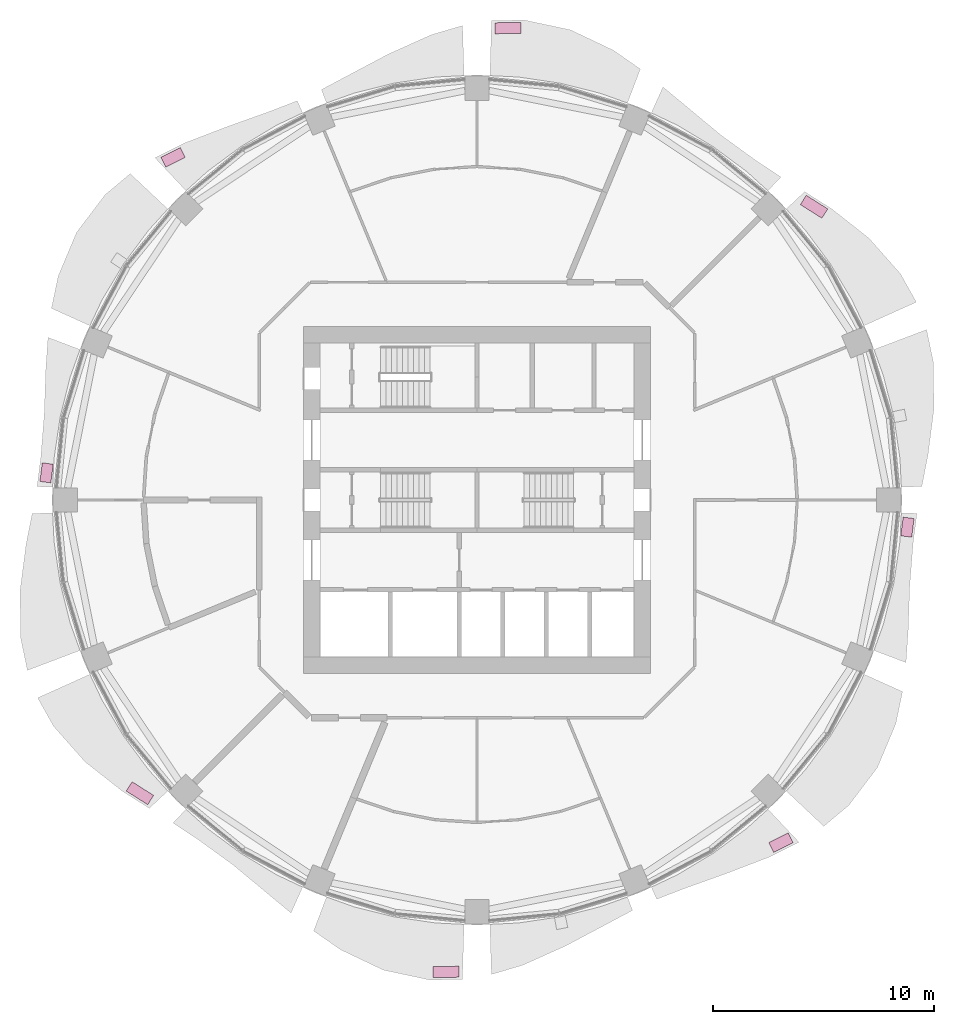
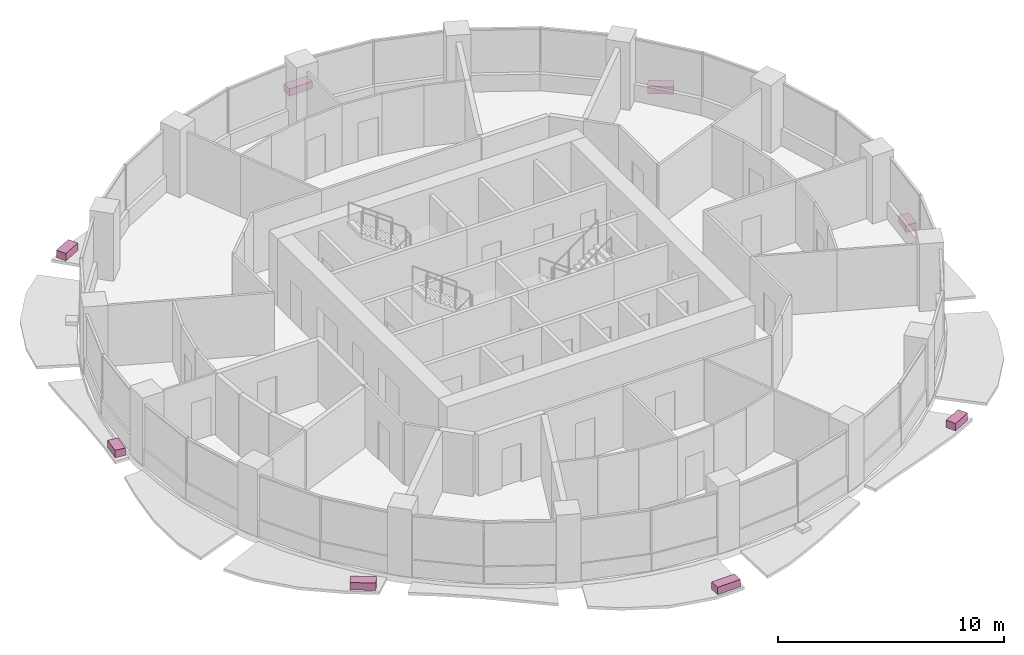
# One storey, part 14 of 14: 8 furniture elements.
"""IFC4 building model written with IfcOpenShell, lengths in metres."""

from ifc_helpers import new_model, si_unit, direction, frame, origin, origin_2d, place, context, subcontext, project, spatial, rectangle, extrude, material, type_object, element, save


model = new_model("IFC4")

# Units and contexts
model_context = context("Model", 3, precision=1e-05, world=origin(), true_north=direction((0.0, 1.0)))
body_context = subcontext(model_context, "Body", "Model", "MODEL_VIEW")
ifc_project = project(units=[si_unit("LENGTHUNIT", "METRE"), si_unit("AREAUNIT", "SQUARE_METRE"), si_unit("VOLUMEUNIT", "CUBIC_METRE"), si_unit("PLANEANGLEUNIT", "RADIAN"), si_unit("MASSUNIT", "GRAM", prefix="KILO")], contexts=[model_context])

# Site, building, storey
site_placement = place(None, origin())
site = spatial("IfcSite", under=ifc_project, at=site_placement, CompositionType="ELEMENT")
building_placement = place(site_placement, origin())
building = spatial("IfcBuilding", under=site, at=building_placement, Name="Polderwave Tower", CompositionType="ELEMENT")
storey_placement = place(building_placement, frame((0.0, 0.0, 101.949951171875)))
storey = spatial("IfcBuildingStorey", under=building, at=storey_placement, Name="L26", CompositionType="ELEMENT", Elevation=101.949951171875)

# Furniture
ifc_material = material(Name="Terracotta", Category="masonry")
furniture_type = type_object("IfcFurnitureType", Name="Terracotta planting trough", AssemblyPlace="NOTDEFINED", PredefinedType="USERDEFINED", material=ifc_material)
furniture_1_placement = place(storey_placement, frame((15.28271484375, 13.29443359375, -0.199951171875), z_axis=(0.0, 0.0, 1.0), x_axis=(-0.844867104311, 0.534976238775, 0.0)))
element("IfcFurniture", 1, at=furniture_1_placement, inside=storey, type_object=furniture_type, Name="Planting trough L26 2", ObjectType="PLANTER", PredefinedType="USERDEFINED", context=body_context, shape_type="SweptSolid", body=[
    extrude(rectangle(XDim=1.156005859375, YDim=0.5, at=origin_2d()), origin(), (0.0, 0.0, 1.0), 0.39990234375),
])
furniture_2_placement = place(storey_placement, frame((1.40869140625, 21.397705078125, -0.199951171875), z_axis=(0.0, 0.0, 1.0), x_axis=(-0.999788651085, -0.020558530125, 0.0)))
element("IfcFurniture", 2, at=furniture_2_placement, inside=storey, type_object=furniture_type, Name="Planting trough L26 4", ObjectType="PLANTER", PredefinedType="USERDEFINED", context=body_context, shape_type="SweptSolid", body=[
    extrude(rectangle(XDim=1.18408203125, YDim=0.5, at=origin_2d()), origin(), (0.0, 0.0, 1.0), 0.39990234375),
])
furniture_3_placement = place(storey_placement, frame((-13.781005859375, 15.5341796875, -0.199951171875), z_axis=(0.0, 0.0, 1.0), x_axis=(-0.89233386173, -0.451375984307, 0.0)))
element("IfcFurniture", 3, at=furniture_3_placement, inside=storey, type_object=furniture_type, Name="Planting trough L26 6", ObjectType="PLANTER", PredefinedType="USERDEFINED", context=body_context, shape_type="SweptSolid", body=[
    extrude(rectangle(XDim=0.97900390625, YDim=0.5, at=origin_2d()), origin(), (0.0, 0.0, 1.0), 0.39990234375),
])
furniture_4_placement = place(storey_placement, frame((-19.515380859375, 1.23193359375, -0.199951171875), z_axis=(0.0, 0.0, 1.0), x_axis=(-0.127570097335, -0.991829557064, 0.0)))
element("IfcFurniture", 4, at=furniture_4_placement, inside=storey, type_object=furniture_type, Name="Planting trough L26 8", ObjectType="PLANTER", PredefinedType="USERDEFINED", context=body_context, shape_type="SweptSolid", body=[
    extrude(rectangle(XDim=0.853271484375, YDim=0.5, at=origin_2d()), origin(), (0.0, 0.0, 1.0), 0.39990234375),
])
furniture_5_placement = place(storey_placement, frame((-15.28271484375, -13.29443359375, -0.199951171875), z_axis=(0.0, 0.0, 1.0), x_axis=(0.844867104311, -0.534976238775, 0.0)))
element("IfcFurniture", 5, at=furniture_5_placement, inside=storey, type_object=furniture_type, Name="Planting trough L26 10", ObjectType="PLANTER", PredefinedType="USERDEFINED", context=body_context, shape_type="SweptSolid", body=[
    extrude(rectangle(XDim=1.156005859375, YDim=0.5, at=origin_2d()), origin(), (0.0, 0.0, 1.0), 0.39990234375),
])
furniture_6_placement = place(storey_placement, frame((-1.40869140625, -21.397705078125, -0.199951171875), z_axis=(0.0, 0.0, 1.0), x_axis=(0.999788651085, 0.020558530125, 0.0)))
element("IfcFurniture", 6, at=furniture_6_placement, inside=storey, type_object=furniture_type, Name="Planting trough L26 12", ObjectType="PLANTER", PredefinedType="USERDEFINED", context=body_context, shape_type="SweptSolid", body=[
    extrude(rectangle(XDim=1.18408203125, YDim=0.5, at=origin_2d()), origin(), (0.0, 0.0, 1.0), 0.39990234375),
])
furniture_7_placement = place(storey_placement, frame((13.781005859375, -15.5341796875, -0.199951171875), z_axis=(0.0, 0.0, 1.0), x_axis=(0.89233386173, 0.451375984307, 0.0)))
element("IfcFurniture", 7, at=furniture_7_placement, inside=storey, type_object=furniture_type, Name="Planting trough L26 14", ObjectType="PLANTER", PredefinedType="USERDEFINED", context=body_context, shape_type="SweptSolid", body=[
    extrude(rectangle(XDim=0.97900390625, YDim=0.5, at=origin_2d()), origin(), (0.0, 0.0, 1.0), 0.39990234375),
])
furniture_8_placement = place(storey_placement, frame((19.515380859375, -1.23193359375, -0.199951171875), z_axis=(0.0, 0.0, 1.0), x_axis=(0.127570097335, 0.991829557064, 0.0)))
element("IfcFurniture", 8, at=furniture_8_placement, inside=storey, type_object=furniture_type, Name="Planting trough L26 16", ObjectType="PLANTER", PredefinedType="USERDEFINED", context=body_context, shape_type="SweptSolid", body=[
    extrude(rectangle(XDim=0.853271484375, YDim=0.5, at=origin_2d()), origin(), (0.0, 0.0, 1.0), 0.39990234375),
])

save(model, "model.ifc")
